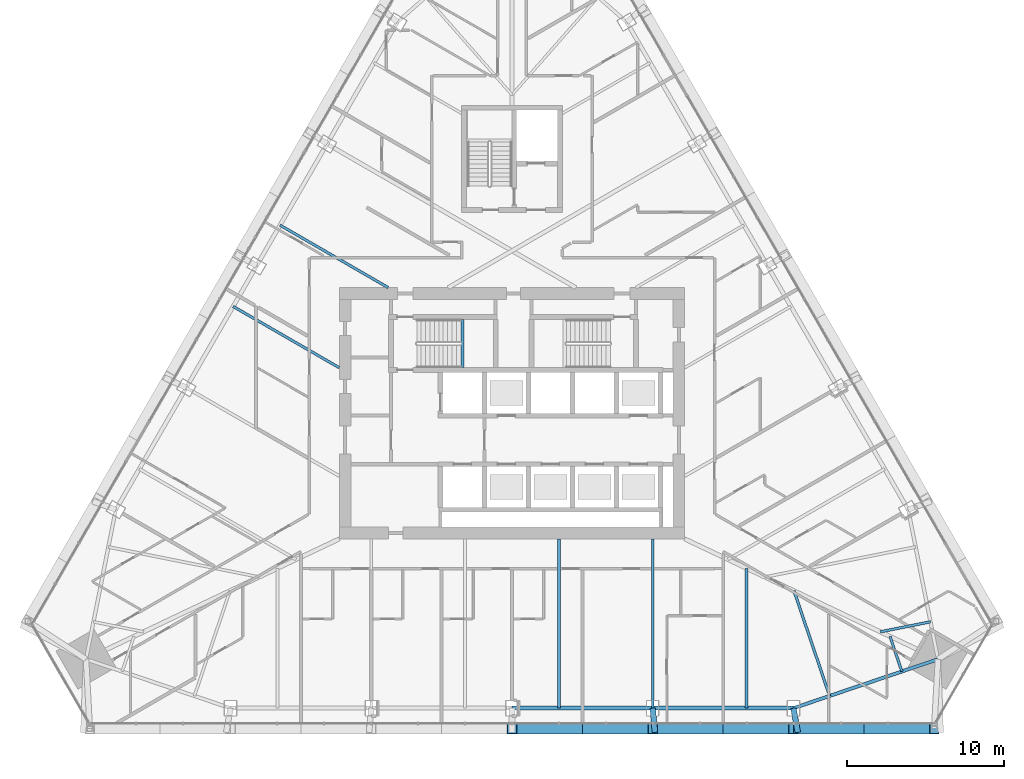
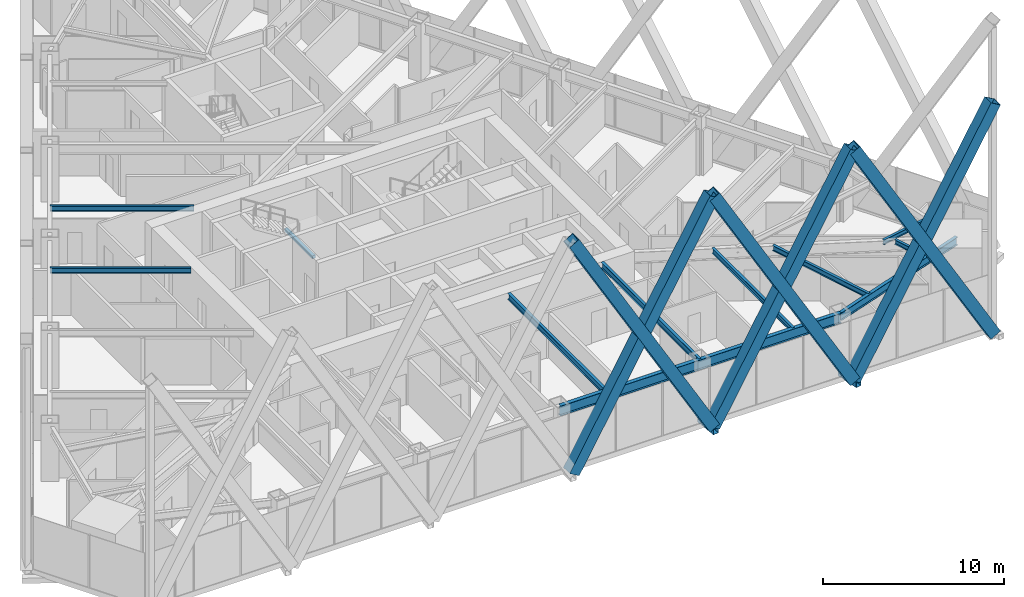
# One storey, part 10 of 24: 11 beams, 8 members.
"""IFC4 building model written with IfcOpenShell, lengths in metres."""

from ifc_helpers import new_model, si_unit, direction, frame, origin, origin_2d, place, context, subcontext, project, spatial, rectangle, hollow_rectangle, i_section, extrude, material, material_profile, profile_set, type_object, element, save


model = new_model("IFC4")

# Units and contexts
model_context = context("Model", 3, precision=1e-05, world=origin(), true_north=direction((0.0, 1.0)))
body_context = subcontext(model_context, "Body", "Model", "MODEL_VIEW")
ifc_project = project(units=[si_unit("LENGTHUNIT", "METRE"), si_unit("AREAUNIT", "SQUARE_METRE"), si_unit("VOLUMEUNIT", "CUBIC_METRE"), si_unit("PLANEANGLEUNIT", "RADIAN"), si_unit("MASSUNIT", "GRAM", prefix="KILO")], contexts=[model_context])

# Site, building, storey
site_placement = place(None, origin())
site = spatial("IfcSite", under=ifc_project, at=site_placement, CompositionType="ELEMENT")
building_placement = place(site_placement, origin())
building = spatial("IfcBuilding", under=site, at=building_placement, Name="Firuza Gate Tower and Library", CompositionType="ELEMENT")
storey_placement = place(building_placement, frame((0.0, 0.0, 171.39990234375)))
storey = spatial("IfcBuildingStorey", under=building, at=storey_placement, Name="L39", CompositionType="ELEMENT", Elevation=171.39990234375)

# Members
ifc_material_1 = material(Name="Steel S355", Category="steel")
ifc_material_profile_1 = material_profile(ifc_material_1, hollow_rectangle(XDim=0.699951171875, YDim=0.699951171875, WallThickness=0.030029296875, at=origin_2d()))
ifc_profile_set_1 = profile_set([ifc_material_profile_1], Name="Steel S355")
member_type_1 = type_object("IfcMemberType", Name="BU700x700x30 Lattice brace", PredefinedType="BRACE", material=ifc_profile_set_1)
for number, where, z_axis, x_axis, name in (
    (1, (75.0, 54.920654296875, 0.0), (0.49813097309, 0.0, 0.867101801202), (0.0, 1.0, 0.0), "Lattice brace S 9.4R"),
    (2, (83.9619140625, 54.920654296875, 0.0), (-0.49813097309, 0.0, 0.867101801202), (0.0, -1.0, 0.0), "Lattice brace S 9.4L"),
    (3, (83.9619140625, 54.920654296875, 0.0), (0.49813097309, 0.0, 0.867101801202), (0.0, 1.0, 0.0), "Lattice brace S 9.5R"),
    (4, (92.923828125, 54.920654296875, 0.0), (-0.49813097309, 0.0, 0.867101801202), (0.0, -1.0, 0.0), "Lattice brace S 9.5L"),
    (5, (92.923828125, 54.920654296875, 0.0), (0.49813097309, 0.0, 0.867101801202), (0.0, 1.0, 0.0), "Lattice brace S 9.6R"),
    (6, (101.8857421875, 54.920654296875, 0.0), (-0.49813097309, 0.0, 0.867101801202), (0.0, -1.0, 0.0), "Lattice brace S 9.6L"),
):
    element("IfcMember", number, at=place(storey_placement, frame(where, z_axis=z_axis, x_axis=x_axis)), inside=storey, type_object=member_type_1, Name=name, PredefinedType="BRACE", context=body_context, shape_type="SweptSolid", body=[
        extrude(hollow_rectangle(XDim=0.699951171875, YDim=0.699951171875, WallThickness=0.030029296875, at=origin_2d()), origin(), (0.0, 0.0, 1.0), 17.990966796875),
    ])
ifc_material_2 = material(Name="Steel S355", Category="steel")
ifc_material_profile_2 = material_profile(ifc_material_2, hollow_rectangle(XDim=0.355712890625, YDim=0.355712890625, WallThickness=0.014892578125, at=origin_2d()))
ifc_profile_set_2 = profile_set([ifc_material_profile_2], Name="Steel S355")
member_type_2 = type_object("IfcMemberType", Name="HSS356x356x16 Lattice node tie", PredefinedType="BRACE", material=ifc_profile_set_2)
member_1_placement = place(storey_placement, frame((83.9619140625, 56.220458984375, -0.31982421875), z_axis=(0.089424552204, -0.995993599107, 0.0), x_axis=(0.995993599107, 0.089424552204, 0.0)))
element("IfcMember", 7, at=member_1_placement, inside=storey, type_object=member_type_2, Name="Lattice node tie S L39 189", PredefinedType="BRACE", context=body_context, shape_type="SweptSolid", body=[
    extrude(hollow_rectangle(XDim=0.355712890625, YDim=0.355712890625, WallThickness=0.014892578125, at=origin_2d()), origin(), (0.0, 0.0, 1.0), 1.545166015625),
])
member_2_placement = place(storey_placement, frame((92.923828125, 56.220458984375, -0.31982421875), z_axis=(0.176590369853, -0.984284431084, 0.0), x_axis=(0.984284431084, 0.176590369853, 0.0)))
element("IfcMember", 8, at=member_2_placement, inside=storey, type_object=member_type_2, Name="Lattice node tie S L39 190", PredefinedType="BRACE", context=body_context, shape_type="SweptSolid", body=[
    extrude(hollow_rectangle(XDim=0.355712890625, YDim=0.355712890625, WallThickness=0.014892578125, at=origin_2d()), origin(), (0.0, 0.0, 1.0), 1.563720703125),
])

# Beams
ifc_material_3 = material(Name="Concrete C35/45", Category="concrete")
ifc_material_profile_3 = material_profile(ifc_material_3, rectangle(XDim=0.199951171875, YDim=0.199951171875, at=origin_2d()))
ifc_profile_set_3 = profile_set([ifc_material_profile_3], Name="Concrete C35/45")
beam_type_1 = type_object("IfcBeamType", Name="Stair landing bearer 200x200", PredefinedType="BEAM", material=ifc_profile_set_3)
beam_1_placement = place(storey_placement, frame((71.840087890625, 77.89990234375, 1.650146484375), z_axis=(0.0, 1.0, 0.0), x_axis=(-1.0, 0.0, 0.0)))
element("IfcBeam", 9, at=beam_1_placement, inside=storey, type_object=beam_type_1, Name="Landing bearer L39 stair 1", PredefinedType="BEAM", context=body_context, shape_type="SweptSolid", body=[
    extrude(rectangle(XDim=0.199951171875, YDim=0.199951171875, at=origin_2d()), origin(), (0.0, 0.0, 1.0), 3.080078125),
])
ifc_material_4 = material(Name="Steel S355", Category="steel")
ifc_material_profile_4 = material_profile(ifc_material_4, i_section(OverallWidth=0.1650390625, OverallDepth=0.31005859375, WebThickness=0.005859375, FlangeThickness=0.009765625, at=origin_2d()))
ifc_profile_set_4 = profile_set([ifc_material_profile_4], Name="Steel S355")
beam_type_2 = type_object("IfcBeamType", Name="W310x39 Floor beam", PredefinedType="JOIST", material=ifc_profile_set_4)
beam_2_placement = place(storey_placement, frame((99.826171875, 58.558837890625, 3.545166015625), z_axis=(-0.320886488599, 0.947117659763, 0.0), x_axis=(-0.947117659763, -0.320886488599, 0.0)))
element("IfcBeam", 10, at=beam_2_placement, inside=storey, type_object=beam_type_2, Name="Floor beam L39 s31", PredefinedType="JOIST", context=body_context, shape_type="SweptSolid", body=[
    extrude(i_section(OverallWidth=0.1650390625, OverallDepth=0.31005859375, WebThickness=0.005859375, FlangeThickness=0.009765625, at=origin_2d()), origin(), (0.0, 0.0, 1.0), 2.356201171875),
])
beam_3_placement = place(storey_placement, frame((101.651611328125, 61.720458984375, 3.545166015625), z_axis=(-0.980672759664, -0.195655151867, 0.0), x_axis=(0.195655151867, -0.980672759664, 0.0)))
element("IfcBeam", 11, at=beam_3_placement, inside=storey, type_object=beam_type_2, Name="Floor beam L39 s40", PredefinedType="JOIST", context=body_context, shape_type="SweptSolid", body=[
    extrude(i_section(OverallWidth=0.1650390625, OverallDepth=0.31005859375, WebThickness=0.005859375, FlangeThickness=0.009765625, at=origin_2d()), origin(), (0.0, 0.0, 1.0), 3.25927734375),
])
ifc_material_5 = material(Name="Steel S355", Category="steel")
ifc_material_profile_5 = material_profile(ifc_material_5, i_section(OverallWidth=0.1708984375, OverallDepth=0.35498046875, WebThickness=0.007080078125, FlangeThickness=0.01171875, at=origin_2d()))
ifc_profile_set_5 = profile_set([ifc_material_profile_5], Name="Steel S355")
beam_type_3 = type_object("IfcBeamType", Name="W360x51 Floor beam", PredefinedType="JOIST", material=ifc_profile_set_5)
beam_4_placement = place(storey_placement, frame((89.9365234375, 56.220458984375, 3.522705078125), z_axis=(0.0, 1.0, 0.0), x_axis=(-1.0, 0.0, 0.0)))
element("IfcBeam", 12, at=beam_4_placement, inside=storey, type_object=beam_type_3, Name="Floor beam L39 s25", PredefinedType="JOIST", context=body_context, shape_type="SweptSolid", body=[
    extrude(i_section(OverallWidth=0.1708984375, OverallDepth=0.35498046875, WebThickness=0.007080078125, FlangeThickness=0.01171875, at=origin_2d()), origin(), (0.0, 0.0, 1.0), 8.909423828125),
])
beam_5_placement = place(storey_placement, frame((95.224609375, 57.0, 3.522705078125), z_axis=(-0.320855506984, 0.947128155868, 0.0), x_axis=(-0.947128155868, -0.320855506984, 0.0)))
element("IfcBeam", 13, at=beam_5_placement, inside=storey, type_object=beam_type_3, Name="Floor beam L39 s30", PredefinedType="JOIST", context=body_context, shape_type="SweptSolid", body=[
    extrude(i_section(OverallWidth=0.1708984375, OverallDepth=0.35498046875, WebThickness=0.007080078125, FlangeThickness=0.01171875, at=origin_2d()), origin(), (0.0, 0.0, 1.0), 7.06884765625),
])
beam_6_placement = place(storey_placement, frame((60.230224609375, 86.976806640625, 3.522705078125), z_axis=(0.866022521394, -0.500004992414, 0.0), x_axis=(0.500004992414, 0.866022521394, 0.0)))
element("IfcBeam", 14, at=beam_6_placement, inside=storey, type_object=beam_type_3, Name="Floor beam L39 s82", PredefinedType="JOIST", context=body_context, shape_type="SweptSolid", body=[
    extrude(i_section(OverallWidth=0.1708984375, OverallDepth=0.35498046875, WebThickness=0.007080078125, FlangeThickness=0.01171875, at=origin_2d()), origin(), (0.0, 0.0, 1.0), 7.95361328125),
])
beam_7_placement = place(storey_placement, frame((57.242919921875, 81.802734375, 3.522705078125), z_axis=(0.866016236382, -0.500015878071, 0.0), x_axis=(0.500015878071, 0.866016236382, 0.0)))
element("IfcBeam", 15, at=beam_7_placement, inside=storey, type_object=beam_type_3, Name="Floor beam L39 s83", PredefinedType="JOIST", context=body_context, shape_type="SweptSolid", body=[
    extrude(i_section(OverallWidth=0.1708984375, OverallDepth=0.35498046875, WebThickness=0.007080078125, FlangeThickness=0.01171875, at=origin_2d()), origin(), (0.0, 0.0, 1.0), 7.802490234375),
])
ifc_material_6 = material(Name="Steel S355", Category="steel")
ifc_material_profile_6 = material_profile(ifc_material_6, i_section(OverallWidth=0.177978515625, OverallDepth=0.406982421875, WebThickness=0.0078125, FlangeThickness=0.0126953125, at=origin_2d()))
ifc_profile_set_6 = profile_set([ifc_material_profile_6], Name="Steel S355")
beam_type_4 = type_object("IfcBeamType", Name="W410x60 Floor beam", PredefinedType="JOIST", material=ifc_profile_set_6)
for number, where, z_axis, x_axis, name in (
    (16, (77.9873046875, 56.220458984375, 3.49658203125), (0.0, 1.0, 0.0), (-1.0, 0.0, 0.0), "Floor beam L39 s23"),
    (17, (83.9619140625, 56.220458984375, 3.49658203125), (0.0, 1.0, 0.0), (-1.0, 0.0, 0.0), "Floor beam L39 s24"),
):
    element("IfcBeam", number, at=place(storey_placement, frame(where, z_axis=z_axis, x_axis=x_axis)), inside=storey, type_object=beam_type_4, Name=name, PredefinedType="JOIST", context=body_context, shape_type="SweptSolid", body=[
        extrude(i_section(OverallWidth=0.177978515625, OverallDepth=0.406982421875, WebThickness=0.0078125, FlangeThickness=0.0126953125, at=origin_2d()), origin(), (0.0, 0.0, 1.0), 10.779541015625),
    ])
ifc_material_7 = material(Name="Steel S355", Category="steel")
ifc_material_profile_7 = material_profile(ifc_material_7, i_section(OverallWidth=0.212890625, OverallDepth=0.5390625, WebThickness=0.01171875, FlangeThickness=0.018798828125, at=origin_2d()))
ifc_profile_set_7 = profile_set([ifc_material_profile_7], Name="Steel S355")
beam_type_5 = type_object("IfcBeamType", Name="W530x109 Edge beam", PredefinedType="SPANDREL", material=ifc_profile_set_7)
beam_8_placement = place(storey_placement, frame((92.923828125, 56.220458984375, 3.4306640625), z_axis=(0.947129305781, 0.320852112554, 0.0), x_axis=(-0.320852112554, 0.947129305781, 0.0)))
element("IfcBeam", 18, at=beam_8_placement, inside=storey, type_object=beam_type_5, Name="Edge beam L39 e30", PredefinedType="SPANDREL", context=body_context, shape_type="SweptSolid", body=[
    extrude(i_section(OverallWidth=0.212890625, OverallDepth=0.5390625, WebThickness=0.01171875, FlangeThickness=0.018798828125, at=origin_2d()), origin(), (0.0, 0.0, 1.0), 9.716796875),
])
ifc_material_8 = material(Name="Steel S355", Category="steel")
ifc_material_profile_8 = material_profile(ifc_material_8, i_section(OverallWidth=0.2529296875, OverallDepth=0.677978515625, WebThickness=0.01171875, FlangeThickness=0.016357421875, at=origin_2d()))
ifc_profile_set_8 = profile_set([ifc_material_profile_8], Name="Steel S355")
beam_type_6 = type_object("IfcBeamType", Name="W690x125 Edge beam", PredefinedType="SPANDREL", material=ifc_profile_set_8)
beam_9_placement = place(storey_placement, frame((75.0, 56.220458984375, 3.361083984375), z_axis=(1.0, 0.0, 0.0), x_axis=(0.0, 1.0, 0.0)))
element("IfcBeam", 19, at=beam_9_placement, inside=storey, type_object=beam_type_6, Name="Edge beam L39 e22", PredefinedType="SPANDREL", context=body_context, shape_type="SweptSolid", body=[
    extrude(i_section(OverallWidth=0.2529296875, OverallDepth=0.677978515625, WebThickness=0.01171875, FlangeThickness=0.016357421875, at=origin_2d()), origin(), (0.0, 0.0, 1.0), 17.923828125),
])

save(model, "model.ifc")
